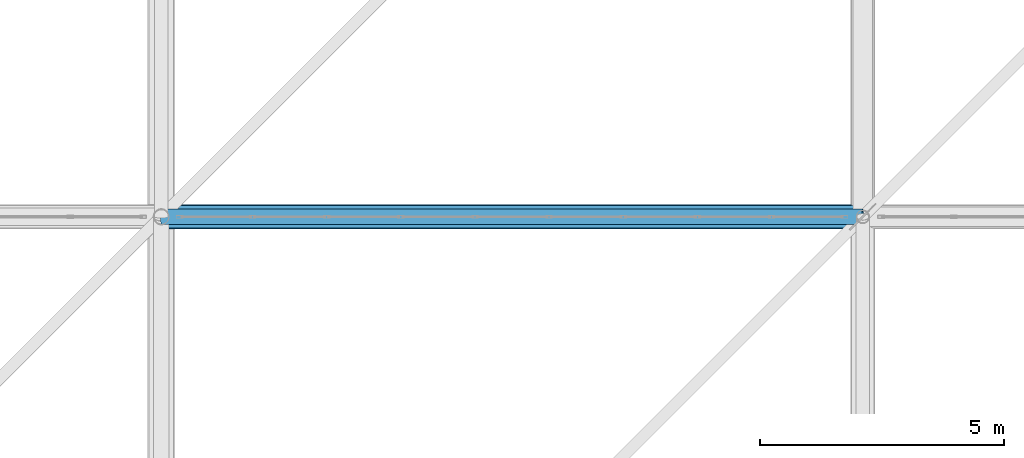
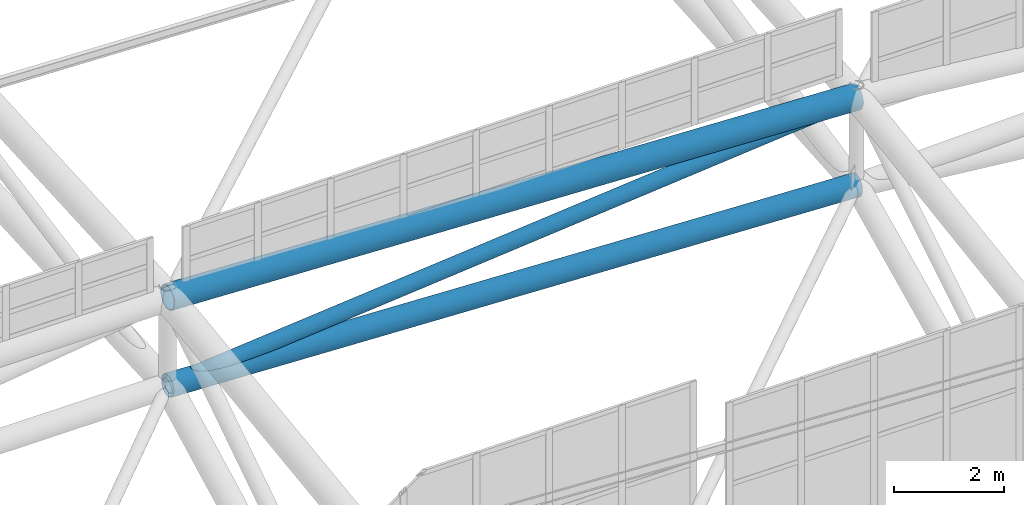
# One storey, part 99 of 397: 2 beams, 1 member.
"""IFC4 building model written with IfcOpenShell, lengths in metres."""

import ifcopenshell
import ifcopenshell.guid

model = None  # the IFC model being written
_history = None  # IfcOwnerHistory: only IFC2X3 demands one
_inside = {}  # id of a spatial element -> (the spatial element, [elements in it])
_under = {}  # id of a project, library or spatial element -> (it, [spatial elements below it])
_declared = {}  # id of a project -> (the project, [libraries it declares])
_typed = {}  # id of a type object -> (the type object, [elements of that type])
_made_of = {}  # id of a material, layer set ... -> (it, [elements and type objects made of it])


def new_model(schema):
    """Start an empty IFC model of exactly this schema.

    Asked for "IFC4X3", IfcOpenShell would pick the latest addendum, in which some entities
    have other attributes; the version numbers below select the first issue.
    IFC2X3 requires an IfcOwnerHistory on every rooted entity: one is made here for all.
    """
    global model, _history
    if schema == "IFC4X3":
        model = ifcopenshell.file(schema_version=(4, 3, 0, 0))
    else:
        model = ifcopenshell.file(schema=schema)
    _inside.clear()
    _under.clear()
    _declared.clear()
    _typed.clear()
    _made_of.clear()
    _history = None
    if model.schema == "IFC2X3":
        org = make("IfcOrganization", Name="unknown")
        user = make(
            "IfcPersonAndOrganization",
            ThePerson=make("IfcPerson", FamilyName="unknown"),
            TheOrganization=org,
        )
        app = make(
            "IfcApplication",
            ApplicationDeveloper=org,
            Version="unknown",
            ApplicationFullName="unknown",
            ApplicationIdentifier="unknown",
        )
        _history = make(
            "IfcOwnerHistory",
            OwningUser=user,
            OwningApplication=app,
            ChangeAction="ADDED",
            CreationDate=0,
        )
    return model


def make(cls, **values):
    """One entity of the class cls with the attributes given. An attribute that is None is left unset."""
    return model.create_entity(
        cls, **{name: value for name, value in values.items() if value is not None}
    )


def rooted(cls, **values):
    """An entity with a GlobalId (a new one), such as an element, a storey or a relation."""
    return make(cls, GlobalId=ifcopenshell.guid.new(), OwnerHistory=_history, **values)


def si_unit(unit_type, name, prefix=None):
    """IfcSIUnit, for example si_unit("LENGTHUNIT", "METRE", prefix="MILLI")."""
    return make("IfcSIUnit", UnitType=unit_type, Prefix=prefix, Name=name)


def assignment(units):
    """IfcUnitAssignment: the units of a project."""
    return None if units is None else make("IfcUnitAssignment", Units=units)


def point(xyz):
    """IfcCartesianPoint."""
    return None if xyz is None else make("IfcCartesianPoint", Coordinates=xyz)


def direction(xyz):
    """IfcDirection."""
    return None if xyz is None else make("IfcDirection", DirectionRatios=xyz)


def frame(location, z_axis=None, x_axis=None):
    """IfcAxis2Placement3D, a coordinate frame: its origin and axes. An axis left out is left unset."""
    return make(
        "IfcAxis2Placement3D",
        Location=point(location),
        Axis=direction(z_axis),
        RefDirection=direction(x_axis),
    )


def frame_2d(location, x_axis=None):
    """IfcAxis2Placement2D, a coordinate frame in the plane: its origin and x axis."""
    return make(
        "IfcAxis2Placement2D", Location=point(location), RefDirection=direction(x_axis)
    )


def origin():
    """The frame at (0, 0, 0) with its axes left unset."""
    return frame((0.0, 0.0, 0.0))


def origin_2d():
    """The frame at (0, 0) in the plane with its x axis left unset."""
    return frame_2d((0.0, 0.0))


def place(relative_to, where):
    """IfcLocalPlacement: puts the frame where relative to a parent placement (None: the world)."""
    return make(
        "IfcLocalPlacement", PlacementRelTo=relative_to, RelativePlacement=where
    )


def context(
    kind, dimensions, precision=None, world=None, true_north=None, identifier=None
):
    """IfcGeometricRepresentationContext, for example the 3D "Model" context."""
    return make(
        "IfcGeometricRepresentationContext",
        ContextIdentifier=identifier,
        ContextType=kind,
        CoordinateSpaceDimension=dimensions,
        Precision=precision,
        WorldCoordinateSystem=world,
        TrueNorth=true_north,
    )


def subcontext(parent, identifier, kind, view, scale=None):
    """IfcGeometricRepresentationSubContext, for example "Body" below "Model"."""
    return make(
        "IfcGeometricRepresentationSubContext",
        ContextIdentifier=identifier,
        ContextType=kind,
        ParentContext=parent,
        TargetScale=scale,
        TargetView=view,
    )


def project(units=None, contexts=None):
    """IfcProject with its units and contexts."""
    return rooted(
        "IfcProject",
        Name="project",
        RepresentationContexts=contexts,
        UnitsInContext=assignment(units),
    )


def spatial(cls, under=None, at=None, **own):
    """A site, building, storey or space (cls), placed at a placement, below another one or the project."""
    s = rooted(cls, ObjectPlacement=at, **own)
    if under is not None:
        _under.setdefault(under.id(), (under, []))[1].append(s)
    return s


def profile(cls, at=None, kind="AREA", **sizes):
    """A parametric profile (cls). Its sizes go by their IFC names, for example OverallWidth=200.0."""
    return make(cls, ProfileType=kind, Position=at, **sizes)


def hollow_circle(**sizes):
    """IfcCircleHollowProfileDef."""
    return profile("IfcCircleHollowProfileDef", **sizes)


def extrude(swept, where, along, depth):
    """IfcExtrudedAreaSolid: the profile swept, set in the frame where, extruded along a direction by depth."""
    return make(
        "IfcExtrudedAreaSolid",
        SweptArea=swept,
        Position=where,
        ExtrudedDirection=direction(along),
        Depth=depth,
    )


def shape(context_of_items, identifier, shape_type, items):
    """IfcShapeRepresentation: the items that make up one representation, for example the "Body"."""
    return make(
        "IfcShapeRepresentation",
        ContextOfItems=context_of_items,
        RepresentationIdentifier=identifier,
        RepresentationType=shape_type,
        Items=items,
    )


def material(Name=None, Category=None):
    """IfcMaterial."""
    return make("IfcMaterial", Name=Name, Category=Category)


def material_profile(
    of_material, cross_section, Name=None, Category=None, Priority=None
):
    """IfcMaterialProfile: a cross section and its material."""
    return make(
        "IfcMaterialProfile",
        Name=Name,
        Material=of_material,
        Profile=cross_section,
        Priority=Priority,
        Category=Category,
    )


def profile_set(profiles, Name=None, composite=None):
    """IfcMaterialProfileSet."""
    return make(
        "IfcMaterialProfileSet",
        Name=Name,
        MaterialProfiles=profiles,
        CompositeProfile=composite,
    )


def made_of(thing, what):
    """Note that an element or type object is made of a material, layer set ...; save() writes the relation."""
    if what is not None:
        _made_of.setdefault(what.id(), (what, []))[1].append(thing)
    return thing


def type_object(cls, material=None, **own):
    """A type object (cls), such as IfcWallType, which elements share."""
    return made_of(rooted(cls, **own), material)


def element(
    cls,
    number,
    at=None,
    inside=None,
    cuts=None,
    type_object=None,
    material=None,
    context=None,
    identifier="Body",
    shape_type=None,
    held_by="IfcProductDefinitionShape",
    body=None,
    shapes=None,
    **own,
):
    """One element of the class cls, such as IfcWall. Its Tag is "e" and its number.

    at: its placement. inside: the storey or other place that contains it. cuts: it is an
    opening in that element (IfcRelVoidsElement). A single representation is given by context,
    identifier, shape_type and body (its items); several are given by shapes. held_by: the class
    of the entity that holds the representations. save() writes the other relations.
    """
    e = rooted(cls, Tag="e%d" % number, ObjectPlacement=at, **own)
    if body is not None:
        shapes = [shape(context, identifier, shape_type, body)]
    if shapes is not None:
        e.Representation = make(held_by, Representations=shapes)
    if inside is not None:
        _inside.setdefault(inside.id(), (inside, []))[1].append(e)
    if cuts is not None:
        rooted(
            "IfcRelVoidsElement", RelatingBuildingElement=cuts, RelatedOpeningElement=e
        )
    if type_object is not None:
        _typed.setdefault(type_object.id(), (type_object, []))[1].append(e)
    return made_of(e, material)


def aggregate(whole, parts):
    """IfcRelAggregates: a whole, such as a stair, and the parts it consists of."""
    return rooted("IfcRelAggregates", RelatingObject=whole, RelatedObjects=parts)


def save(model, path):
    """Write the relations noted so far, then the file.

    IfcRelAggregates (storeys below a building ...), IfcRelContainedInSpatialStructure (elements
    in a storey), IfcRelDefinesByType, IfcRelAssociatesMaterial and IfcRelDeclares: one each for
    every whole, place, type object, material and project.
    """
    for whole, parts in _under.values():
        aggregate(whole, parts)
    for where, things in _inside.values():
        rooted(
            "IfcRelContainedInSpatialStructure",
            RelatedElements=things,
            RelatingStructure=where,
        )
    for kind, things in _typed.values():
        rooted("IfcRelDefinesByType", RelatedObjects=things, RelatingType=kind)
    for what, things in _made_of.values():
        rooted("IfcRelAssociatesMaterial", RelatedObjects=things, RelatingMaterial=what)
    for by, libraries in _declared.values():
        rooted("IfcRelDeclares", RelatingContext=by, RelatedDefinitions=libraries)
    model.write(path)


model = new_model("IFC4")

# Units and contexts
model_context = context("Model", 3, precision=1e-05, world=origin(), true_north=direction((0.0, 1.0)))
body_context = subcontext(model_context, "Body", "Model", "MODEL_VIEW")
ifc_project = project(units=[si_unit("LENGTHUNIT", "METRE"), si_unit("AREAUNIT", "SQUARE_METRE"), si_unit("VOLUMEUNIT", "CUBIC_METRE"), si_unit("PLANEANGLEUNIT", "RADIAN"), si_unit("MASSUNIT", "GRAM", prefix="KILO")], contexts=[model_context])

# Site, building, storey
site_placement = place(None, origin())
site = spatial("IfcSite", under=ifc_project, at=site_placement, CompositionType="ELEMENT")
building_placement = place(site_placement, origin())
building = spatial("IfcBuilding", under=site, at=building_placement, Name="Qandorah Velis Arena", CompositionType="ELEMENT")
storey_placement = place(building_placement, frame((0.0, 0.0, 27.5)))
storey = spatial("IfcBuildingStorey", under=building, at=storey_placement, Name="RF", CompositionType="ELEMENT", Elevation=27.5)

# Beams
ifc_material = material(Name="Steel S355", Category="steel")
ifc_material_profile_1 = material_profile(ifc_material, hollow_circle(Radius=0.228515625, WallThickness=0.01611328125, at=origin_2d()), Name="CHS 457x16")
ifc_profile_set_1 = profile_set([ifc_material_profile_1], Name="Steel S355")
beam_type_1 = type_object("IfcBeamType", Name="STR-SFC-CHS457X16", PredefinedType="USERDEFINED", material=ifc_profile_set_1)
beam_1_placement = place(storey_placement, frame((72.0, 28.800048828125, 7.61328125), z_axis=(0.999122176701, 0.0, -0.041891240429), x_axis=(0.0, 1.0, 0.0)))
element("IfcBeam", 1, at=beam_1_placement, inside=storey, type_object=beam_type_1, Name="Space frame roof truss bottom chord X 4.1", ObjectType="ROOF TRUSS", PredefinedType="USERDEFINED", context=body_context, shape_type="SweptSolid", body=[
    extrude(hollow_circle(Radius=0.228515625, WallThickness=0.01611328125, at=origin_2d()), origin(), (0.0, 0.0, 1.0), 14.41259765625),
])
ifc_material_profile_2 = material_profile(ifc_material, hollow_circle(Radius=0.25390625, WallThickness=0.02001953125, at=origin_2d()), Name="CHS 508x20")
ifc_profile_set_2 = profile_set([ifc_material_profile_2], Name="Steel S355")
beam_type_2 = type_object("IfcBeamType", Name="STR-SFC-CHS508X20", PredefinedType="USERDEFINED", material=ifc_profile_set_2)
beam_2_placement = place(storey_placement, frame((72.0, 28.800048828125, 9.563232421875), z_axis=(0.999122176701, 0.0, -0.041891240429), x_axis=(0.0, 1.0, 0.0)))
element("IfcBeam", 2, at=beam_2_placement, inside=storey, type_object=beam_type_2, Name="Space frame roof truss top chord X 4.1", ObjectType="ROOF TRUSS", PredefinedType="USERDEFINED", context=body_context, shape_type="SweptSolid", body=[
    extrude(hollow_circle(Radius=0.25390625, WallThickness=0.02001953125, at=origin_2d()), origin(), (0.0, 0.0, 1.0), 14.41259765625),
])

# Member
ifc_material_profile_3 = material_profile(ifc_material, hollow_circle(Radius=0.161865234375, WallThickness=0.012451171875, at=origin_2d()), Name="CHS 323.9x12.5")
ifc_profile_set_3 = profile_set([ifc_material_profile_3], Name="Steel S355")
member_type = type_object("IfcMemberType", Name="STR-SFD-CHS323X12", PredefinedType="CHORD", material=ifc_profile_set_3)
member_placement = place(storey_placement, frame((72.0, 28.800048828125, 7.61328125), z_axis=(0.995658606131, 0.0, 0.093080288125), x_axis=(0.0, 1.0, 0.0)))
element("IfcMember", 3, at=member_placement, inside=storey, type_object=member_type, Name="Space frame roof diagonal X 4.1", PredefinedType="CHORD", context=body_context, shape_type="SweptSolid", body=[
    extrude(hollow_circle(Radius=0.161865234375, WallThickness=0.012451171875, at=origin_2d()), origin(), (0.0, 0.0, 1.0), 14.462646484375),
])

save(model, "model.ifc")
